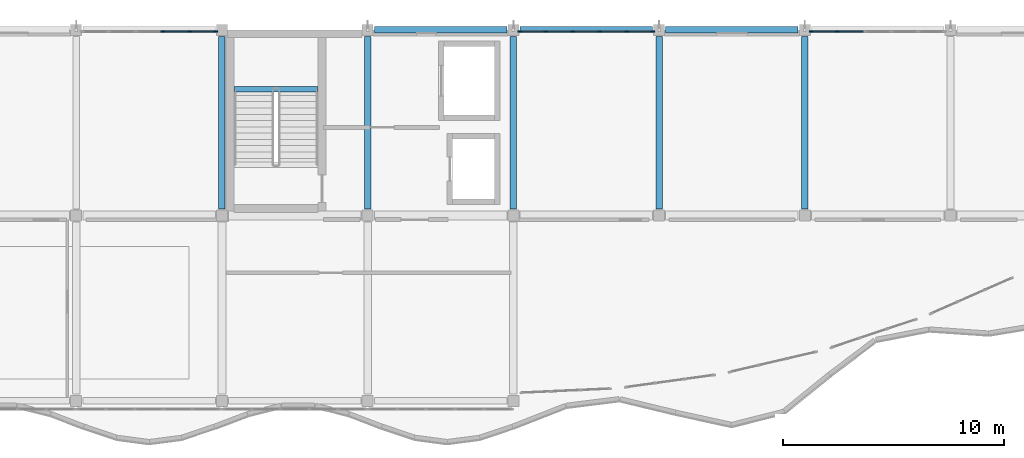
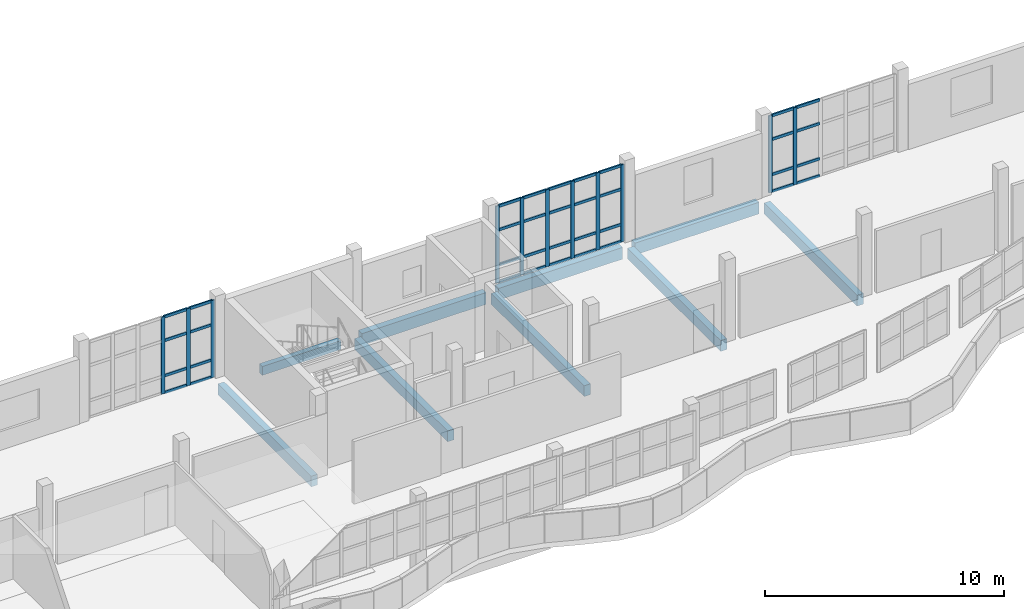
# One storey, part 25 of 78: 47 members, 9 beams, 3 elements without a shape of their own.
"""IFC4 building model written with IfcOpenShell, lengths in metres."""

from ifc_helpers import new_model, si_unit, direction, frame, origin, origin_2d, place, context, subcontext, project, spatial, rectangle, extrude, material, material_profile, profile_set, type_object, element, aggregate, save


model = new_model("IFC4")

# Units and contexts
model_context = context("Model", 3, precision=1e-05, world=origin(), true_north=direction((0.0, 1.0)))
body_context = subcontext(model_context, "Body", "Model", "MODEL_VIEW")
ifc_project = project(units=[si_unit("LENGTHUNIT", "METRE"), si_unit("AREAUNIT", "SQUARE_METRE"), si_unit("VOLUMEUNIT", "CUBIC_METRE"), si_unit("PLANEANGLEUNIT", "RADIAN"), si_unit("MASSUNIT", "GRAM", prefix="KILO")], contexts=[model_context])

# Site, building, storey
site_placement = place(None, origin())
site = spatial("IfcSite", under=ifc_project, at=site_placement, CompositionType="ELEMENT")
building_placement = place(site_placement, origin())
building = spatial("IfcBuilding", under=site, at=building_placement, Name="Qaldarim Faculty of Natural and Applied Sciences", CompositionType="ELEMENT")
storey_placement = place(building_placement, frame((0.0, 0.0, 18.60009765625)))
storey = spatial("IfcBuildingStorey", under=building, at=storey_placement, Name="L04", CompositionType="ELEMENT", Elevation=18.60009765625)

# Beams
ifc_material_1 = material(Name="Concrete C40/50", Category="concrete")
ifc_material_profile_1 = material_profile(ifc_material_1, rectangle(XDim=0.300048828125, YDim=0.550048828125, at=origin_2d()), Name="RC-B300x550")
ifc_profile_set_1 = profile_set([ifc_material_profile_1], Name="Concrete C40/50")
beam_type_1 = type_object("IfcBeamType", Name="FloorBeam-RC300x550", PredefinedType="BEAM", material=ifc_profile_set_1)
for number, where, z_axis, x_axis, name in (
    (1, (99.0, 109.5, -0.53515625), (0.0, 1.0, 0.0), (-1.0, 0.0, 0.0), "Beam RC-B300x550 L03 X16/Y14-Y15"),
    (2, (105.60009765625, 109.5, -0.53515625), (0.0, 1.0, 0.0), (-1.0, 0.0, 0.0), "Beam RC-B300x550 L03 X17/Y14-Y15"),
    (3, (112.199951171875, 109.5, -0.53515625), (0.0, 1.0, 0.0), (-1.0, 0.0, 0.0), "Beam RC-B300x550 L03 X18/Y14-Y15"),
    (4, (118.800048828125, 109.5, -0.53515625), (0.0, 1.0, 0.0), (-1.0, 0.0, 0.0), "Beam RC-B300x550 L03 X19/Y14-Y15"),
    (5, (125.39990234375, 109.5, -0.53515625), (0.0, 1.0, 0.0), (-1.0, 0.0, 0.0), "Beam RC-B300x550 L03 X20/Y14-Y15"),
):
    element("IfcBeam", number, at=place(storey_placement, frame(where, z_axis=z_axis, x_axis=x_axis)), inside=storey, type_object=beam_type_1, Name=name, PredefinedType="BEAM", context=body_context, shape_type="SweptSolid", body=[
        extrude(rectangle(XDim=0.300048828125, YDim=0.550048828125, at=origin_2d()), origin(), (0.0, 0.0, 1.0), 7.800048828125),
    ])
ifc_material_profile_2 = material_profile(ifc_material_1, rectangle(XDim=0.25, YDim=0.449951171875, at=origin_2d()), Name="RC-LN250x450")
ifc_profile_set_2 = profile_set([ifc_material_profile_2], Name="Concrete C40/50")
beam_type_2 = type_object("IfcBeamType", Name="LandingSupportBeam-RC250x450", PredefinedType="BEAM", material=ifc_profile_set_2)
beam_placement = place(storey_placement, frame((99.550048828125, 114.919921875, 1.664794921875), z_axis=(1.0, 0.0, 0.0), x_axis=(0.0, 1.0, 0.0)))
element("IfcBeam", 6, at=beam_placement, inside=storey, type_object=beam_type_2, Name="Stair landing support beam ST-B1 L04", PredefinedType="BEAM", context=body_context, shape_type="SweptSolid", body=[
    extrude(rectangle(XDim=0.25, YDim=0.449951171875, at=origin_2d()), origin(), (0.0, 0.0, 1.0), 3.800048828125),
])

# Curtain wall, members
ifc_material_2 = material(Name="Anodised aluminium AW-6063", Category="aluminium")
curtain_wall_type = type_object("IfcCurtainWallType", Name="CurtainWallSystem-M1200", PredefinedType="USERDEFINED", material=ifc_material_2)
curtain_wall_1_placement = place(storey_placement, origin())
curtain_wall_1 = element("IfcCurtainWall", 7, at=curtain_wall_1_placement, inside=storey, type_object=curtain_wall_type, Name="Curtain wall CW-L04-N-X15Y14", ObjectType="STICK CURTAIN WALL", PredefinedType="USERDEFINED")
ifc_material_profile_3 = material_profile(ifc_material_2, rectangle(XDim=0.070068359375, YDim=0.179931640625, at=origin_2d()), Name="ALU-M70x180")
ifc_profile_set_3 = profile_set([ifc_material_profile_3], Name="Anodised aluminium AW-6063")
member_type_1 = type_object("IfcMemberType", Name="Mullion-ALU70x180", PredefinedType="MULLION", material=ifc_profile_set_3)
member_1_placement = place(storey_placement, frame((98.719970703125, 117.52001953125, 0.0), z_axis=(0.0, 0.0, 1.0), x_axis=(0.0, -1.0, 0.0)))
member_1 = element("IfcMember", 8, at=member_1_placement, type_object=member_type_1, Name="Mullion 1 of CW-L04-N-X15Y14", PredefinedType="MULLION", context=body_context, shape_type="SweptSolid", body=[
    extrude(rectangle(XDim=0.070068359375, YDim=0.179931640625, at=origin_2d()), origin(), (0.0, 0.0, 1.0), 3.93994140625),
])
member_2_placement = place(storey_placement, frame((97.532958984375, 117.52001953125, 0.0), z_axis=(0.0, 0.0, 1.0), x_axis=(0.0, -1.0, 0.0)))
member_2 = element("IfcMember", 9, at=member_2_placement, type_object=member_type_1, Name="Mullion 2 of CW-L04-N-X15Y14", PredefinedType="MULLION", context=body_context, shape_type="SweptSolid", body=[
    extrude(rectangle(XDim=0.070068359375, YDim=0.179931640625, at=origin_2d()), origin(), (0.0, 0.0, 1.0), 3.93994140625),
])
member_3_placement = place(storey_placement, frame((96.31103515625, 117.52001953125, 0.0), z_axis=(0.0, 0.0, 1.0), x_axis=(0.0, -1.0, 0.0)))
member_3 = element("IfcMember", 10, at=member_3_placement, type_object=member_type_1, Name="Mullion 3 of CW-L04-N-X15Y14", PredefinedType="MULLION", context=body_context, shape_type="SweptSolid", body=[
    extrude(rectangle(XDim=0.070068359375, YDim=0.179931640625, at=origin_2d()), origin(), (0.0, 0.0, 1.0), 3.93994140625),
])

curtain_wall_2_placement = place(storey_placement, origin())
curtain_wall_2 = element("IfcCurtainWall", 11, at=curtain_wall_2_placement, inside=storey, type_object=curtain_wall_type, Name="Curtain wall CW-L04-N-X18Y14", ObjectType="STICK CURTAIN WALL", PredefinedType="USERDEFINED")
member_4_placement = place(storey_placement, frame((118.52001953125, 117.52001953125, 0.0), z_axis=(0.0, 0.0, 1.0), x_axis=(0.0, -1.0, 0.0)))
member_4 = element("IfcMember", 12, at=member_4_placement, type_object=member_type_1, Name="Mullion 1 of CW-L04-N-X18Y14", PredefinedType="MULLION", context=body_context, shape_type="SweptSolid", body=[
    extrude(rectangle(XDim=0.070068359375, YDim=0.179931640625, at=origin_2d()), origin(), (0.0, 0.0, 1.0), 3.93994140625),
])
member_5_placement = place(storey_placement, frame((117.3330078125, 117.52001953125, 0.0), z_axis=(0.0, 0.0, 1.0), x_axis=(0.0, -1.0, 0.0)))
member_5 = element("IfcMember", 13, at=member_5_placement, type_object=member_type_1, Name="Mullion 2 of CW-L04-N-X18Y14", PredefinedType="MULLION", context=body_context, shape_type="SweptSolid", body=[
    extrude(rectangle(XDim=0.070068359375, YDim=0.179931640625, at=origin_2d()), origin(), (0.0, 0.0, 1.0), 3.93994140625),
])
member_6_placement = place(storey_placement, frame((116.111083984375, 117.52001953125, 0.0), z_axis=(0.0, 0.0, 1.0), x_axis=(0.0, -1.0, 0.0)))
member_6 = element("IfcMember", 14, at=member_6_placement, type_object=member_type_1, Name="Mullion 3 of CW-L04-N-X18Y14", PredefinedType="MULLION", context=body_context, shape_type="SweptSolid", body=[
    extrude(rectangle(XDim=0.070068359375, YDim=0.179931640625, at=origin_2d()), origin(), (0.0, 0.0, 1.0), 3.93994140625),
])
member_7_placement = place(storey_placement, frame((114.888916015625, 117.52001953125, 0.0), z_axis=(0.0, 0.0, 1.0), x_axis=(0.0, -1.0, 0.0)))
member_7 = element("IfcMember", 15, at=member_7_placement, type_object=member_type_1, Name="Mullion 4 of CW-L04-N-X18Y14", PredefinedType="MULLION", context=body_context, shape_type="SweptSolid", body=[
    extrude(rectangle(XDim=0.070068359375, YDim=0.179931640625, at=origin_2d()), origin(), (0.0, 0.0, 1.0), 3.93994140625),
])
member_8_placement = place(storey_placement, frame((113.6669921875, 117.52001953125, 0.0), z_axis=(0.0, 0.0, 1.0), x_axis=(0.0, -1.0, 0.0)))
member_8 = element("IfcMember", 16, at=member_8_placement, type_object=member_type_1, Name="Mullion 5 of CW-L04-N-X18Y14", PredefinedType="MULLION", context=body_context, shape_type="SweptSolid", body=[
    extrude(rectangle(XDim=0.070068359375, YDim=0.179931640625, at=origin_2d()), origin(), (0.0, 0.0, 1.0), 3.93994140625),
])
member_9_placement = place(storey_placement, frame((112.47998046875, 117.52001953125, 0.0), z_axis=(0.0, 0.0, 1.0), x_axis=(0.0, -1.0, 0.0)))
member_9 = element("IfcMember", 17, at=member_9_placement, type_object=member_type_1, Name="Mullion 6 of CW-L04-N-X18Y14", PredefinedType="MULLION", context=body_context, shape_type="SweptSolid", body=[
    extrude(rectangle(XDim=0.070068359375, YDim=0.179931640625, at=origin_2d()), origin(), (0.0, 0.0, 1.0), 3.93994140625),
])

curtain_wall_3_placement = place(storey_placement, origin())
curtain_wall_3 = element("IfcCurtainWall", 18, at=curtain_wall_3_placement, inside=storey, type_object=curtain_wall_type, Name="Curtain wall CW-L04-N-X20Y14", ObjectType="STICK CURTAIN WALL", PredefinedType="USERDEFINED")
member_10_placement = place(storey_placement, frame((126.866943359375, 117.52001953125, 0.0), z_axis=(0.0, 0.0, 1.0), x_axis=(0.0, -1.0, 0.0)))
member_10 = element("IfcMember", 19, at=member_10_placement, type_object=member_type_1, Name="Mullion 5 of CW-L04-N-X20Y14", PredefinedType="MULLION", context=body_context, shape_type="SweptSolid", body=[
    extrude(rectangle(XDim=0.070068359375, YDim=0.179931640625, at=origin_2d()), origin(), (0.0, 0.0, 1.0), 3.93994140625),
])
member_11_placement = place(storey_placement, frame((125.679931640625, 117.52001953125, 0.0), z_axis=(0.0, 0.0, 1.0), x_axis=(0.0, -1.0, 0.0)))
member_11 = element("IfcMember", 20, at=member_11_placement, type_object=member_type_1, Name="Mullion 6 of CW-L04-N-X20Y14", PredefinedType="MULLION", context=body_context, shape_type="SweptSolid", body=[
    extrude(rectangle(XDim=0.070068359375, YDim=0.179931640625, at=origin_2d()), origin(), (0.0, 0.0, 1.0), 3.93994140625),
])

# Beams
ifc_material_3 = material(Name="Precast concrete C40/50", Category="concrete")
ifc_material_profile_4 = material_profile(ifc_material_3, rectangle(XDim=0.300048828125, YDim=0.60009765625, at=origin_2d()), Name="RC-SP300x600")
ifc_profile_set_4 = profile_set([ifc_material_profile_4], Name="Precast concrete C40/50")
beam_type_3 = type_object("IfcBeamType", Name="SpandrelBeam-RC300x600", PredefinedType="SPANDREL", material=ifc_profile_set_4)
for number, where, z_axis, x_axis, name in (
    (21, (105.89990234375, 117.60009765625, -0.56005859375), (1.0, 0.0, 0.0), (0.0, 1.0, 0.0), "Beam RC-SP300x600 L03 X17-X18/Y15"),
    (22, (112.5, 117.60009765625, -0.56005859375), (1.0, 0.0, 0.0), (0.0, 1.0, 0.0), "Beam RC-SP300x600 L03 X18-X19/Y15"),
    (23, (119.10009765625, 117.60009765625, -0.56005859375), (1.0, 0.0, 0.0), (0.0, 1.0, 0.0), "Beam RC-SP300x600 L03 X19-X20/Y15"),
):
    element("IfcBeam", number, at=place(storey_placement, frame(where, z_axis=z_axis, x_axis=x_axis)), inside=storey, type_object=beam_type_3, Name=name, PredefinedType="SPANDREL", context=body_context, shape_type="SweptSolid", body=[
        extrude(rectangle(XDim=0.300048828125, YDim=0.60009765625, at=origin_2d()), origin(), (0.0, 0.0, 1.0), 6.0),
    ])

# Member
ifc_material_profile_5 = material_profile(ifc_material_2, rectangle(XDim=0.070068359375, YDim=0.139892578125, at=origin_2d()), Name="ALU-T70x140")
ifc_profile_set_5 = profile_set([ifc_material_profile_5], Name="Anodised aluminium AW-6063")
member_type_2 = type_object("IfcMemberType", Name="Transom-ALU70x140", PredefinedType="USERDEFINED", material=ifc_profile_set_5)
member_12_placement = place(storey_placement, frame((98.68505859375, 117.52001953125, 0.034912109375), z_axis=(-1.0, 0.0, 0.0), x_axis=(0.0, -1.0, 0.0)))
member_12 = element("IfcMember", 24, at=member_12_placement, type_object=member_type_2, Name="Transom 1-1 of CW-L04-N-X15Y14", ObjectType="TRANSOM", PredefinedType="USERDEFINED", context=body_context, shape_type="SweptSolid", body=[
    extrude(rectangle(XDim=0.070068359375, YDim=0.139892578125, at=origin_2d()), origin(), (0.0, 0.0, 1.0), 1.116943359375),
])

member_13_placement = place(storey_placement, frame((98.68505859375, 117.52001953125, 0.89990234375), z_axis=(-1.0, 0.0, 0.0), x_axis=(0.0, -1.0, 0.0)))
member_13 = element("IfcMember", 25, at=member_13_placement, type_object=member_type_2, Name="Transom 1-2 of CW-L04-N-X15Y14", ObjectType="TRANSOM", PredefinedType="USERDEFINED", context=body_context, shape_type="SweptSolid", body=[
    extrude(rectangle(XDim=0.070068359375, YDim=0.139892578125, at=origin_2d()), origin(), (0.0, 0.0, 1.0), 1.116943359375),
])

member_14_placement = place(storey_placement, frame((98.68505859375, 117.52001953125, 2.699951171875), z_axis=(-1.0, 0.0, 0.0), x_axis=(0.0, -1.0, 0.0)))
member_14 = element("IfcMember", 26, at=member_14_placement, type_object=member_type_2, Name="Transom 1-3 of CW-L04-N-X15Y14", ObjectType="TRANSOM", PredefinedType="USERDEFINED", context=body_context, shape_type="SweptSolid", body=[
    extrude(rectangle(XDim=0.070068359375, YDim=0.139892578125, at=origin_2d()), origin(), (0.0, 0.0, 1.0), 1.116943359375),
])

member_15_placement = place(storey_placement, frame((98.68505859375, 117.52001953125, 3.90478515625), z_axis=(-1.0, 0.0, 0.0), x_axis=(0.0, -1.0, 0.0)))
member_15 = element("IfcMember", 27, at=member_15_placement, type_object=member_type_2, Name="Transom 1-4 of CW-L04-N-X15Y14", ObjectType="TRANSOM", PredefinedType="USERDEFINED", context=body_context, shape_type="SweptSolid", body=[
    extrude(rectangle(XDim=0.070068359375, YDim=0.139892578125, at=origin_2d()), origin(), (0.0, 0.0, 1.0), 1.116943359375),
])

member_16_placement = place(storey_placement, frame((97.498046875, 117.52001953125, 0.034912109375), z_axis=(-1.0, 0.0, 0.0), x_axis=(0.0, -1.0, 0.0)))
member_16 = element("IfcMember", 28, at=member_16_placement, type_object=member_type_2, Name="Transom 2-1 of CW-L04-N-X15Y14", ObjectType="TRANSOM", PredefinedType="USERDEFINED", context=body_context, shape_type="SweptSolid", body=[
    extrude(rectangle(XDim=0.070068359375, YDim=0.139892578125, at=origin_2d()), origin(), (0.0, 0.0, 1.0), 1.152099609375),
])

member_17_placement = place(storey_placement, frame((97.498046875, 117.52001953125, 0.89990234375), z_axis=(-1.0, 0.0, 0.0), x_axis=(0.0, -1.0, 0.0)))
member_17 = element("IfcMember", 29, at=member_17_placement, type_object=member_type_2, Name="Transom 2-2 of CW-L04-N-X15Y14", ObjectType="TRANSOM", PredefinedType="USERDEFINED", context=body_context, shape_type="SweptSolid", body=[
    extrude(rectangle(XDim=0.070068359375, YDim=0.139892578125, at=origin_2d()), origin(), (0.0, 0.0, 1.0), 1.152099609375),
])

member_18_placement = place(storey_placement, frame((97.498046875, 117.52001953125, 2.699951171875), z_axis=(-1.0, 0.0, 0.0), x_axis=(0.0, -1.0, 0.0)))
member_18 = element("IfcMember", 30, at=member_18_placement, type_object=member_type_2, Name="Transom 2-3 of CW-L04-N-X15Y14", ObjectType="TRANSOM", PredefinedType="USERDEFINED", context=body_context, shape_type="SweptSolid", body=[
    extrude(rectangle(XDim=0.070068359375, YDim=0.139892578125, at=origin_2d()), origin(), (0.0, 0.0, 1.0), 1.152099609375),
])

member_19_placement = place(storey_placement, frame((97.498046875, 117.52001953125, 3.90478515625), z_axis=(-1.0, 0.0, 0.0), x_axis=(0.0, -1.0, 0.0)))
member_19 = element("IfcMember", 31, at=member_19_placement, type_object=member_type_2, Name="Transom 2-4 of CW-L04-N-X15Y14", ObjectType="TRANSOM", PredefinedType="USERDEFINED", context=body_context, shape_type="SweptSolid", body=[
    extrude(rectangle(XDim=0.070068359375, YDim=0.139892578125, at=origin_2d()), origin(), (0.0, 0.0, 1.0), 1.152099609375),
])

aggregate(curtain_wall_1, [member_1, member_2, member_3, member_12, member_13, member_14, member_15, member_16, member_17, member_18, member_19])

member_20_placement = place(storey_placement, frame((118.485107421875, 117.52001953125, 0.034912109375), z_axis=(-1.0, 0.0, 0.0), x_axis=(0.0, -1.0, 0.0)))
member_20 = element("IfcMember", 32, at=member_20_placement, type_object=member_type_2, Name="Transom 1-1 of CW-L04-N-X18Y14", ObjectType="TRANSOM", PredefinedType="USERDEFINED", context=body_context, shape_type="SweptSolid", body=[
    extrude(rectangle(XDim=0.070068359375, YDim=0.139892578125, at=origin_2d()), origin(), (0.0, 0.0, 1.0), 1.1171875),
])

member_21_placement = place(storey_placement, frame((118.485107421875, 117.52001953125, 0.89990234375), z_axis=(-1.0, 0.0, 0.0), x_axis=(0.0, -1.0, 0.0)))
member_21 = element("IfcMember", 33, at=member_21_placement, type_object=member_type_2, Name="Transom 1-2 of CW-L04-N-X18Y14", ObjectType="TRANSOM", PredefinedType="USERDEFINED", context=body_context, shape_type="SweptSolid", body=[
    extrude(rectangle(XDim=0.070068359375, YDim=0.139892578125, at=origin_2d()), origin(), (0.0, 0.0, 1.0), 1.1171875),
])

member_22_placement = place(storey_placement, frame((118.485107421875, 117.52001953125, 2.699951171875), z_axis=(-1.0, 0.0, 0.0), x_axis=(0.0, -1.0, 0.0)))
member_22 = element("IfcMember", 34, at=member_22_placement, type_object=member_type_2, Name="Transom 1-3 of CW-L04-N-X18Y14", ObjectType="TRANSOM", PredefinedType="USERDEFINED", context=body_context, shape_type="SweptSolid", body=[
    extrude(rectangle(XDim=0.070068359375, YDim=0.139892578125, at=origin_2d()), origin(), (0.0, 0.0, 1.0), 1.1171875),
])

member_23_placement = place(storey_placement, frame((118.485107421875, 117.52001953125, 3.90478515625), z_axis=(-1.0, 0.0, 0.0), x_axis=(0.0, -1.0, 0.0)))
member_23 = element("IfcMember", 35, at=member_23_placement, type_object=member_type_2, Name="Transom 1-4 of CW-L04-N-X18Y14", ObjectType="TRANSOM", PredefinedType="USERDEFINED", context=body_context, shape_type="SweptSolid", body=[
    extrude(rectangle(XDim=0.070068359375, YDim=0.139892578125, at=origin_2d()), origin(), (0.0, 0.0, 1.0), 1.1171875),
])

member_24_placement = place(storey_placement, frame((117.298095703125, 117.52001953125, 0.034912109375), z_axis=(-1.0, 0.0, 0.0), x_axis=(0.0, -1.0, 0.0)))
member_24 = element("IfcMember", 36, at=member_24_placement, type_object=member_type_2, Name="Transom 2-1 of CW-L04-N-X18Y14", ObjectType="TRANSOM", PredefinedType="USERDEFINED", context=body_context, shape_type="SweptSolid", body=[
    extrude(rectangle(XDim=0.070068359375, YDim=0.139892578125, at=origin_2d()), origin(), (0.0, 0.0, 1.0), 1.152099609375),
])

member_25_placement = place(storey_placement, frame((117.298095703125, 117.52001953125, 0.89990234375), z_axis=(-1.0, 0.0, 0.0), x_axis=(0.0, -1.0, 0.0)))
member_25 = element("IfcMember", 37, at=member_25_placement, type_object=member_type_2, Name="Transom 2-2 of CW-L04-N-X18Y14", ObjectType="TRANSOM", PredefinedType="USERDEFINED", context=body_context, shape_type="SweptSolid", body=[
    extrude(rectangle(XDim=0.070068359375, YDim=0.139892578125, at=origin_2d()), origin(), (0.0, 0.0, 1.0), 1.152099609375),
])

member_26_placement = place(storey_placement, frame((117.298095703125, 117.52001953125, 2.699951171875), z_axis=(-1.0, 0.0, 0.0), x_axis=(0.0, -1.0, 0.0)))
member_26 = element("IfcMember", 38, at=member_26_placement, type_object=member_type_2, Name="Transom 2-3 of CW-L04-N-X18Y14", ObjectType="TRANSOM", PredefinedType="USERDEFINED", context=body_context, shape_type="SweptSolid", body=[
    extrude(rectangle(XDim=0.070068359375, YDim=0.139892578125, at=origin_2d()), origin(), (0.0, 0.0, 1.0), 1.152099609375),
])

member_27_placement = place(storey_placement, frame((117.298095703125, 117.52001953125, 3.90478515625), z_axis=(-1.0, 0.0, 0.0), x_axis=(0.0, -1.0, 0.0)))
member_27 = element("IfcMember", 39, at=member_27_placement, type_object=member_type_2, Name="Transom 2-4 of CW-L04-N-X18Y14", ObjectType="TRANSOM", PredefinedType="USERDEFINED", context=body_context, shape_type="SweptSolid", body=[
    extrude(rectangle(XDim=0.070068359375, YDim=0.139892578125, at=origin_2d()), origin(), (0.0, 0.0, 1.0), 1.152099609375),
])

member_28_placement = place(storey_placement, frame((116.075927734375, 117.52001953125, 0.034912109375), z_axis=(-1.0, 0.0, 0.0), x_axis=(0.0, -1.0, 0.0)))
member_28 = element("IfcMember", 40, at=member_28_placement, type_object=member_type_2, Name="Transom 3-1 of CW-L04-N-X18Y14", ObjectType="TRANSOM", PredefinedType="USERDEFINED", context=body_context, shape_type="SweptSolid", body=[
    extrude(rectangle(XDim=0.070068359375, YDim=0.139892578125, at=origin_2d()), origin(), (0.0, 0.0, 1.0), 1.15185546875),
])

member_29_placement = place(storey_placement, frame((116.075927734375, 117.52001953125, 0.89990234375), z_axis=(-1.0, 0.0, 0.0), x_axis=(0.0, -1.0, 0.0)))
member_29 = element("IfcMember", 41, at=member_29_placement, type_object=member_type_2, Name="Transom 3-2 of CW-L04-N-X18Y14", ObjectType="TRANSOM", PredefinedType="USERDEFINED", context=body_context, shape_type="SweptSolid", body=[
    extrude(rectangle(XDim=0.070068359375, YDim=0.139892578125, at=origin_2d()), origin(), (0.0, 0.0, 1.0), 1.15185546875),
])

member_30_placement = place(storey_placement, frame((116.075927734375, 117.52001953125, 2.699951171875), z_axis=(-1.0, 0.0, 0.0), x_axis=(0.0, -1.0, 0.0)))
member_30 = element("IfcMember", 42, at=member_30_placement, type_object=member_type_2, Name="Transom 3-3 of CW-L04-N-X18Y14", ObjectType="TRANSOM", PredefinedType="USERDEFINED", context=body_context, shape_type="SweptSolid", body=[
    extrude(rectangle(XDim=0.070068359375, YDim=0.139892578125, at=origin_2d()), origin(), (0.0, 0.0, 1.0), 1.15185546875),
])

member_31_placement = place(storey_placement, frame((116.075927734375, 117.52001953125, 3.90478515625), z_axis=(-1.0, 0.0, 0.0), x_axis=(0.0, -1.0, 0.0)))
member_31 = element("IfcMember", 43, at=member_31_placement, type_object=member_type_2, Name="Transom 3-4 of CW-L04-N-X18Y14", ObjectType="TRANSOM", PredefinedType="USERDEFINED", context=body_context, shape_type="SweptSolid", body=[
    extrude(rectangle(XDim=0.070068359375, YDim=0.139892578125, at=origin_2d()), origin(), (0.0, 0.0, 1.0), 1.15185546875),
])

member_32_placement = place(storey_placement, frame((114.85400390625, 117.52001953125, 0.034912109375), z_axis=(-1.0, 0.0, 0.0), x_axis=(0.0, -1.0, 0.0)))
member_32 = element("IfcMember", 44, at=member_32_placement, type_object=member_type_2, Name="Transom 4-1 of CW-L04-N-X18Y14", ObjectType="TRANSOM", PredefinedType="USERDEFINED", context=body_context, shape_type="SweptSolid", body=[
    extrude(rectangle(XDim=0.070068359375, YDim=0.139892578125, at=origin_2d()), origin(), (0.0, 0.0, 1.0), 1.152099609375),
])

member_33_placement = place(storey_placement, frame((114.85400390625, 117.52001953125, 0.89990234375), z_axis=(-1.0, 0.0, 0.0), x_axis=(0.0, -1.0, 0.0)))
member_33 = element("IfcMember", 45, at=member_33_placement, type_object=member_type_2, Name="Transom 4-2 of CW-L04-N-X18Y14", ObjectType="TRANSOM", PredefinedType="USERDEFINED", context=body_context, shape_type="SweptSolid", body=[
    extrude(rectangle(XDim=0.070068359375, YDim=0.139892578125, at=origin_2d()), origin(), (0.0, 0.0, 1.0), 1.152099609375),
])

member_34_placement = place(storey_placement, frame((114.85400390625, 117.52001953125, 2.699951171875), z_axis=(-1.0, 0.0, 0.0), x_axis=(0.0, -1.0, 0.0)))
member_34 = element("IfcMember", 46, at=member_34_placement, type_object=member_type_2, Name="Transom 4-3 of CW-L04-N-X18Y14", ObjectType="TRANSOM", PredefinedType="USERDEFINED", context=body_context, shape_type="SweptSolid", body=[
    extrude(rectangle(XDim=0.070068359375, YDim=0.139892578125, at=origin_2d()), origin(), (0.0, 0.0, 1.0), 1.152099609375),
])

member_35_placement = place(storey_placement, frame((114.85400390625, 117.52001953125, 3.90478515625), z_axis=(-1.0, 0.0, 0.0), x_axis=(0.0, -1.0, 0.0)))
member_35 = element("IfcMember", 47, at=member_35_placement, type_object=member_type_2, Name="Transom 4-4 of CW-L04-N-X18Y14", ObjectType="TRANSOM", PredefinedType="USERDEFINED", context=body_context, shape_type="SweptSolid", body=[
    extrude(rectangle(XDim=0.070068359375, YDim=0.139892578125, at=origin_2d()), origin(), (0.0, 0.0, 1.0), 1.152099609375),
])

member_36_placement = place(storey_placement, frame((113.632080078125, 117.52001953125, 0.034912109375), z_axis=(-1.0, 0.0, 0.0), x_axis=(0.0, -1.0, 0.0)))
member_36 = element("IfcMember", 48, at=member_36_placement, type_object=member_type_2, Name="Transom 5-1 of CW-L04-N-X18Y14", ObjectType="TRANSOM", PredefinedType="USERDEFINED", context=body_context, shape_type="SweptSolid", body=[
    extrude(rectangle(XDim=0.070068359375, YDim=0.139892578125, at=origin_2d()), origin(), (0.0, 0.0, 1.0), 1.1171875),
])

member_37_placement = place(storey_placement, frame((113.632080078125, 117.52001953125, 0.89990234375), z_axis=(-1.0, 0.0, 0.0), x_axis=(0.0, -1.0, 0.0)))
member_37 = element("IfcMember", 49, at=member_37_placement, type_object=member_type_2, Name="Transom 5-2 of CW-L04-N-X18Y14", ObjectType="TRANSOM", PredefinedType="USERDEFINED", context=body_context, shape_type="SweptSolid", body=[
    extrude(rectangle(XDim=0.070068359375, YDim=0.139892578125, at=origin_2d()), origin(), (0.0, 0.0, 1.0), 1.1171875),
])

member_38_placement = place(storey_placement, frame((113.632080078125, 117.52001953125, 2.699951171875), z_axis=(-1.0, 0.0, 0.0), x_axis=(0.0, -1.0, 0.0)))
member_38 = element("IfcMember", 50, at=member_38_placement, type_object=member_type_2, Name="Transom 5-3 of CW-L04-N-X18Y14", ObjectType="TRANSOM", PredefinedType="USERDEFINED", context=body_context, shape_type="SweptSolid", body=[
    extrude(rectangle(XDim=0.070068359375, YDim=0.139892578125, at=origin_2d()), origin(), (0.0, 0.0, 1.0), 1.1171875),
])

member_39_placement = place(storey_placement, frame((113.632080078125, 117.52001953125, 3.90478515625), z_axis=(-1.0, 0.0, 0.0), x_axis=(0.0, -1.0, 0.0)))
member_39 = element("IfcMember", 51, at=member_39_placement, type_object=member_type_2, Name="Transom 5-4 of CW-L04-N-X18Y14", ObjectType="TRANSOM", PredefinedType="USERDEFINED", context=body_context, shape_type="SweptSolid", body=[
    extrude(rectangle(XDim=0.070068359375, YDim=0.139892578125, at=origin_2d()), origin(), (0.0, 0.0, 1.0), 1.1171875),
])

aggregate(curtain_wall_2, [member_4, member_5, member_6, member_7, member_8, member_9, member_20, member_21, member_22, member_23, member_24, member_25, member_26, member_27, member_28, member_29, member_30, member_31, member_32, member_33, member_34, member_35, member_36, member_37, member_38, member_39])

member_40_placement = place(storey_placement, frame((128.053955078125, 117.52001953125, 0.034912109375), z_axis=(-1.0, 0.0, 0.0), x_axis=(0.0, -1.0, 0.0)))
member_40 = element("IfcMember", 52, at=member_40_placement, type_object=member_type_2, Name="Transom 4-1 of CW-L04-N-X20Y14", ObjectType="TRANSOM", PredefinedType="USERDEFINED", context=body_context, shape_type="SweptSolid", body=[
    extrude(rectangle(XDim=0.070068359375, YDim=0.139892578125, at=origin_2d()), origin(), (0.0, 0.0, 1.0), 1.15185546875),
])

member_41_placement = place(storey_placement, frame((128.053955078125, 117.52001953125, 0.89990234375), z_axis=(-1.0, 0.0, 0.0), x_axis=(0.0, -1.0, 0.0)))
member_41 = element("IfcMember", 53, at=member_41_placement, type_object=member_type_2, Name="Transom 4-2 of CW-L04-N-X20Y14", ObjectType="TRANSOM", PredefinedType="USERDEFINED", context=body_context, shape_type="SweptSolid", body=[
    extrude(rectangle(XDim=0.070068359375, YDim=0.139892578125, at=origin_2d()), origin(), (0.0, 0.0, 1.0), 1.15185546875),
])

member_42_placement = place(storey_placement, frame((128.053955078125, 117.52001953125, 2.699951171875), z_axis=(-1.0, 0.0, 0.0), x_axis=(0.0, -1.0, 0.0)))
member_42 = element("IfcMember", 54, at=member_42_placement, type_object=member_type_2, Name="Transom 4-3 of CW-L04-N-X20Y14", ObjectType="TRANSOM", PredefinedType="USERDEFINED", context=body_context, shape_type="SweptSolid", body=[
    extrude(rectangle(XDim=0.070068359375, YDim=0.139892578125, at=origin_2d()), origin(), (0.0, 0.0, 1.0), 1.15185546875),
])

member_43_placement = place(storey_placement, frame((128.053955078125, 117.52001953125, 3.90478515625), z_axis=(-1.0, 0.0, 0.0), x_axis=(0.0, -1.0, 0.0)))
member_43 = element("IfcMember", 55, at=member_43_placement, type_object=member_type_2, Name="Transom 4-4 of CW-L04-N-X20Y14", ObjectType="TRANSOM", PredefinedType="USERDEFINED", context=body_context, shape_type="SweptSolid", body=[
    extrude(rectangle(XDim=0.070068359375, YDim=0.139892578125, at=origin_2d()), origin(), (0.0, 0.0, 1.0), 1.15185546875),
])

member_44_placement = place(storey_placement, frame((126.83203125, 117.52001953125, 0.034912109375), z_axis=(-1.0, 0.0, 0.0), x_axis=(0.0, -1.0, 0.0)))
member_44 = element("IfcMember", 56, at=member_44_placement, type_object=member_type_2, Name="Transom 5-1 of CW-L04-N-X20Y14", ObjectType="TRANSOM", PredefinedType="USERDEFINED", context=body_context, shape_type="SweptSolid", body=[
    extrude(rectangle(XDim=0.070068359375, YDim=0.139892578125, at=origin_2d()), origin(), (0.0, 0.0, 1.0), 1.116943359375),
])

member_45_placement = place(storey_placement, frame((126.83203125, 117.52001953125, 0.89990234375), z_axis=(-1.0, 0.0, 0.0), x_axis=(0.0, -1.0, 0.0)))
member_45 = element("IfcMember", 57, at=member_45_placement, type_object=member_type_2, Name="Transom 5-2 of CW-L04-N-X20Y14", ObjectType="TRANSOM", PredefinedType="USERDEFINED", context=body_context, shape_type="SweptSolid", body=[
    extrude(rectangle(XDim=0.070068359375, YDim=0.139892578125, at=origin_2d()), origin(), (0.0, 0.0, 1.0), 1.116943359375),
])

member_46_placement = place(storey_placement, frame((126.83203125, 117.52001953125, 2.699951171875), z_axis=(-1.0, 0.0, 0.0), x_axis=(0.0, -1.0, 0.0)))
member_46 = element("IfcMember", 58, at=member_46_placement, type_object=member_type_2, Name="Transom 5-3 of CW-L04-N-X20Y14", ObjectType="TRANSOM", PredefinedType="USERDEFINED", context=body_context, shape_type="SweptSolid", body=[
    extrude(rectangle(XDim=0.070068359375, YDim=0.139892578125, at=origin_2d()), origin(), (0.0, 0.0, 1.0), 1.116943359375),
])

member_47_placement = place(storey_placement, frame((126.83203125, 117.52001953125, 3.90478515625), z_axis=(-1.0, 0.0, 0.0), x_axis=(0.0, -1.0, 0.0)))
member_47 = element("IfcMember", 59, at=member_47_placement, type_object=member_type_2, Name="Transom 5-4 of CW-L04-N-X20Y14", ObjectType="TRANSOM", PredefinedType="USERDEFINED", context=body_context, shape_type="SweptSolid", body=[
    extrude(rectangle(XDim=0.070068359375, YDim=0.139892578125, at=origin_2d()), origin(), (0.0, 0.0, 1.0), 1.116943359375),
])

aggregate(curtain_wall_3, [member_10, member_11, member_40, member_41, member_42, member_43, member_44, member_45, member_46, member_47])

save(model, "model.ifc")
